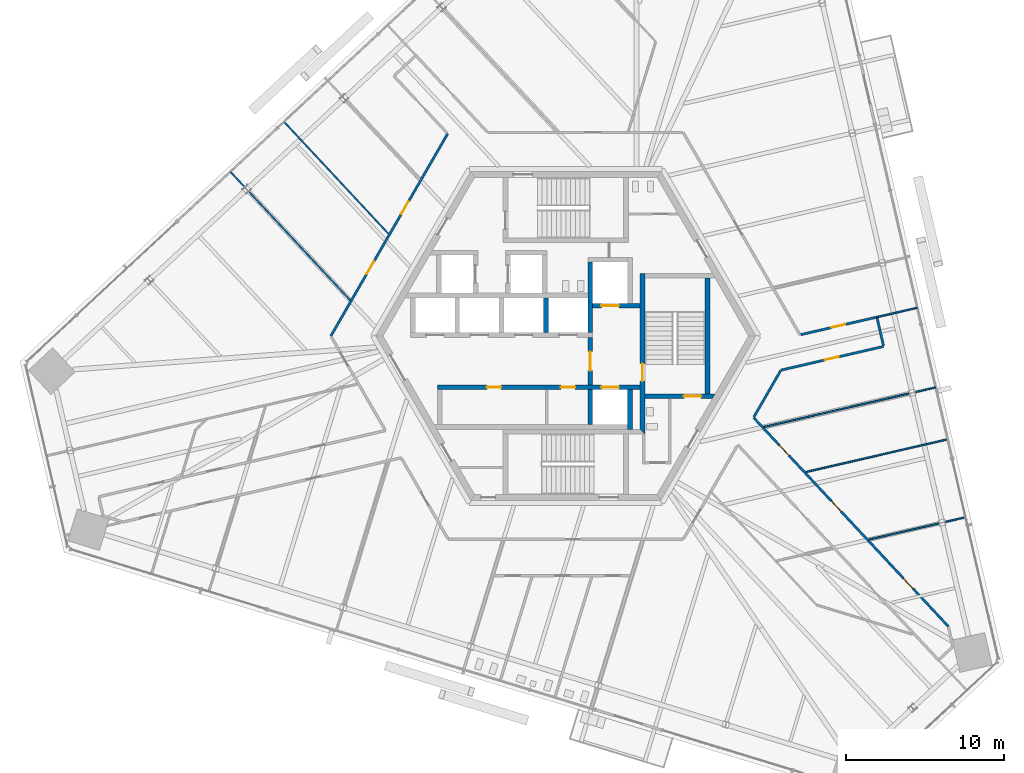
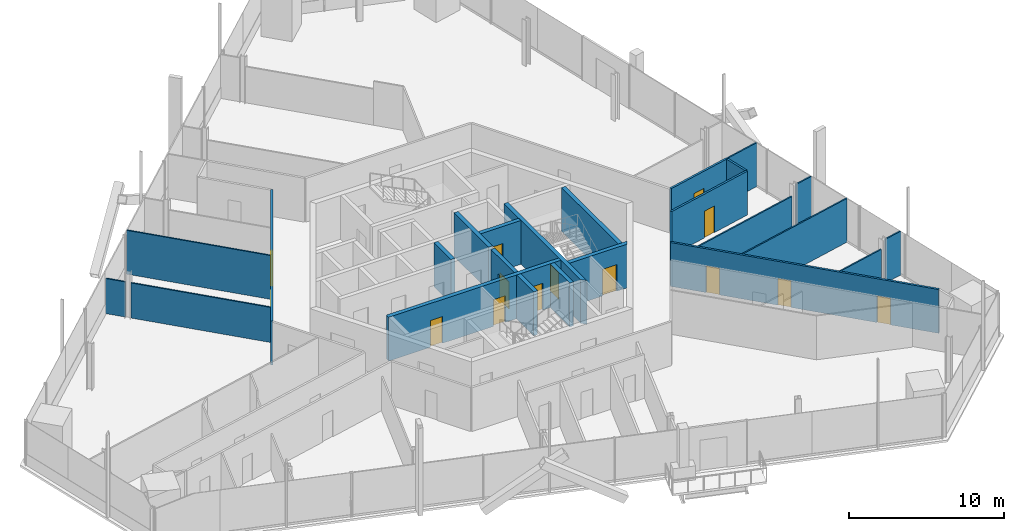
# One storey, part 15 of 24: 25 walls, 14 doors, 14 openings.
"""IFC4 building model written with IfcOpenShell, lengths in metres."""

from ifc_helpers import new_model, si_unit, direction, frame, frame_2d, origin, place, context, subcontext, project, spatial, polyline, rectangle, outline, extrude, source, transform, mapped, material, layer, layer_set, type_object, element, fill, save


model = new_model("IFC4")

# Units and contexts
model_context = context("Model", 3, precision=1e-05, world=origin(), true_north=direction((0.0, 1.0)))
body_context = subcontext(model_context, "Body", "Model", "MODEL_VIEW")
ifc_project = project(units=[si_unit("LENGTHUNIT", "METRE"), si_unit("AREAUNIT", "SQUARE_METRE"), si_unit("VOLUMEUNIT", "CUBIC_METRE"), si_unit("PLANEANGLEUNIT", "RADIAN"), si_unit("MASSUNIT", "GRAM", prefix="KILO")], contexts=[model_context])

# Site, building, storey
site_placement = place(None, origin())
site = spatial("IfcSite", under=ifc_project, at=site_placement, CompositionType="ELEMENT")
building_placement = place(site_placement, origin())
building = spatial("IfcBuilding", under=site, at=building_placement, Name="Triune Harvest Tower", CompositionType="ELEMENT")
storey_placement = place(building_placement, frame((0.0, 0.0, 112.699951171875)))
storey = spatial("IfcBuildingStorey", under=building, at=storey_placement, Name="L28", CompositionType="ELEMENT", Elevation=112.699951171875)

# Walls
ifc_material_1 = material(Name="Gypsum board on steel studs", Category="steel")
ifc_layer_1 = layer(ifc_material_1, 0.10009765625)
ifc_layer_set_1 = layer_set([ifc_layer_1], Name="Gypsum board on steel studs")
wall_type_1 = type_object("IfcWallType", Name="Partition 100 mm", PredefinedType="PARTITIONING", material=ifc_layer_set_1)
wall_1_placement = place(storey_placement, frame((-21.17431640625, 10.368896484375, 0.0), z_axis=(0.0, 0.0, 1.0), x_axis=(0.681954155979, -0.731394920096, 0.0)))
element("IfcWall", 1, at=wall_1_placement, inside=storey, type_object=wall_type_1, Name="Partition L28 007", PredefinedType="PARTITIONING", context=body_context, shape_type="SweptSolid", body=[
    extrude(rectangle(XDim=1.338134765625, YDim=0.10009765625, at=frame_2d((0.6689453125, 0.0))), origin(), (0.0, 0.0, 1.0), 2.7568359375),
])
wall_2_placement = place(storey_placement, frame((-17.789794921875, 13.525146484375, 0.0), z_axis=(0.0, 0.0, 1.0), x_axis=(0.682004663663, -0.731347823366, 0.0)))
element("IfcWall", 2, at=wall_2_placement, inside=storey, type_object=wall_type_1, Name="Partition L28 009", PredefinedType="PARTITIONING", context=body_context, shape_type="SweptSolid", body=[
    extrude(rectangle(XDim=9.682861328125, YDim=0.10009765625, at=frame_2d((4.84130859375, 0.0))), origin(), (0.0, 0.0, 1.0), 3.43994140625),
])
wall_3_placement = place(storey_placement, frame((19.142822265625, -12.852294921875, 0.0), z_axis=(0.0, 0.0, 1.0), x_axis=(0.974361435855, 0.224988427077, 0.0)))
element("IfcWall", 3, at=wall_3_placement, inside=storey, type_object=wall_type_1, Name="Partition L28 029", PredefinedType="PARTITIONING", context=body_context, shape_type="SweptSolid", body=[
    extrude(rectangle(XDim=4.56396484375, YDim=0.10009765625, at=frame_2d((2.281982421875, 0.0))), origin(), (0.0, 0.0, 1.0), 2.827880859375),
])
wall_4_placement = place(storey_placement, frame((15.1669921875, -8.58837890625, 0.0), z_axis=(0.0, 0.0, 1.0), x_axis=(0.974372810759, 0.224939159895, 0.0)))
element("IfcWall", 4, at=wall_4_placement, inside=storey, type_object=wall_type_1, Name="Partition L28 031", PredefinedType="PARTITIONING", context=body_context, shape_type="SweptSolid", body=[
    extrude(rectangle(XDim=9.177734375, YDim=0.10009765625, at=frame_2d((4.5888671875, 0.0))), origin(), (0.0, 0.0, 1.0), 3.43994140625),
])
ifc_material_2 = material(Name="Concrete 70 MPa", Category="concrete")
ifc_layer_2 = layer(ifc_material_2, 0.300048828125)
ifc_layer_set_2 = layer_set([ifc_layer_2], Name="Concrete 70 MPa")
wall_type_2 = type_object("IfcWallType", Name="Core wall 300", PredefinedType="SHEAR", material=ifc_layer_set_2)
shared_shape_1 = source(origin(), body_context, "Body", "SweptSolid", [
    extrude(rectangle(XDim=2.5, YDim=0.300048828125, at=frame_2d((1.25, 0.0))), origin(), (0.0, 0.0, 1.0), 3.43994140625),
])
wall_5_placement = place(storey_placement, frame((4.050048828125, -5.889892578125, 0.0), z_axis=(0.0, 0.0, 1.0), x_axis=(0.0, 1.0, 0.0)))
element("IfcWall", 5, at=wall_5_placement, inside=storey, type_object=wall_type_2, Name="Ff2 east wall", PredefinedType="SHEAR", context=body_context, shape_type="MappedRepresentation", body=[
    mapped(shared_shape_1, transform((0.0, 0.0, 0.0), scale=1.0)),
])
shared_shape_2 = source(origin(), body_context, "Body", "SweptSolid", [
    extrude(rectangle(XDim=4.449951171875, YDim=0.300048828125, at=frame_2d((2.22509765625, 0.0))), origin(), (0.0, 0.0, 1.0), 3.43994140625),
])
wall_6_placement = place(storey_placement, frame((1.550048828125, 0.2099609375, 0.0), z_axis=(0.0, 0.0, 1.0), x_axis=(0.0, 1.0, 0.0)))
element("IfcWall", 6, at=wall_6_placement, inside=storey, type_object=wall_type_2, Name="Ff1 west wall", PredefinedType="SHEAR", context=body_context, shape_type="MappedRepresentation", body=[
    mapped(shared_shape_2, transform((0.0, 0.0, 0.0), scale=1.0)),
])

# Wall, opening, door
shared_shape_3 = source(origin(), body_context, "Body", "SweptSolid", [
    extrude(rectangle(XDim=3.0, YDim=0.300048828125, at=frame_2d((1.5, 0.0))), origin(), (0.0, 0.0, 1.0), 3.43994140625),
])
wall_7_placement = place(storey_placement, frame((1.699951171875, 1.909912109375, 0.0), z_axis=(0.0, 0.0, 1.0), x_axis=(1.0, 0.0, 0.0)))
wall_7 = element("IfcWall", 7, at=wall_7_placement, inside=storey, type_object=wall_type_2, Name="Ff1 front wall", PredefinedType="SHEAR", context=body_context, shape_type="MappedRepresentation", body=[
    mapped(shared_shape_3, transform((0.0, 0.0, 0.0), scale=1.0)),
])
opening_1_placement = place(wall_7_placement, frame((0.550048828125, 0.0, 0.0)))
opening_1 = element("IfcOpeningElement", 8, at=opening_1_placement, cuts=wall_7, Name="Opening LD-FF1-28", PredefinedType="OPENING", context=body_context, shape_type="SweptSolid", body=[
    extrude(rectangle(XDim=1.10009765625, YDim=2.10009765625, at=frame_2d((0.550048828125, 1.050048828125))), frame((0.0, 0.16015625, 0.0), z_axis=(0.0, -1.0, 0.0), x_axis=(1.0, 0.0, 0.0)), (0.0, 0.0, 1.0), 0.320068359375),
])
ifc_material_3 = material(Name="Stainless steel AISI 304", Category="steel")
door_type_1 = type_object("IfcDoorType", Name="Landing door 1100 x 2100", OperationType="DOUBLE_DOOR_SLIDING", PredefinedType="DOOR", material=ifc_material_3)
door_1_placement = place(opening_1_placement, origin())
door_1 = element("IfcDoor", 9, at=door_1_placement, inside=storey, type_object=door_type_1, Name="Door LD-FF1-28", OperationType="DOUBLE_DOOR_SLIDING", OverallHeight=2.10009765625, OverallWidth=1.10009765625, PredefinedType="DOOR", context=body_context, shape_type="SweptSolid", body=[
    extrude(rectangle(XDim=1.10009765625, YDim=2.10009765625, at=frame_2d((0.550048828125, 1.050048828125))), frame((0.0, 0.02490234375, 0.0), z_axis=(0.0, -1.0, 0.0), x_axis=(1.0, 0.0, 0.0)), (0.0, 0.0, 1.0), 0.050048828125),
])
fill(opening_1, door_1)

wall_8_placement = place(storey_placement, frame((1.550048828125, -3.090087890625, 0.0), z_axis=(0.0, 0.0, 1.0), x_axis=(0.0, 1.0, 0.0)))
wall_8 = element("IfcWall", 10, at=wall_8_placement, inside=storey, type_object=wall_type_2, Name="Ff lobby west wall", PredefinedType="SHEAR", context=body_context, shape_type="MappedRepresentation", body=[
    mapped(shared_shape_3, transform((0.0, 0.0, 0.0), scale=1.0)),
])
opening_2_placement = place(wall_8_placement, frame((0.89990234375, 0.0, 0.0)))
opening_2 = element("IfcOpeningElement", 11, at=opening_2_placement, cuts=wall_8, Name="Opening CD-FL", PredefinedType="OPENING", context=body_context, shape_type="SweptSolid", body=[
    extrude(rectangle(XDim=1.199951171875, YDim=2.10009765625, at=frame_2d((0.60009765625, 1.050048828125))), frame((0.0, 0.16015625, 0.0), z_axis=(0.0, -1.0, 0.0), x_axis=(1.0, 0.0, 0.0)), (0.0, 0.0, 1.0), 0.320068359375),
])
ifc_material_4 = material(Name="Steel S235", Category="steel")
door_type_2 = type_object("IfcDoorType", Name="Firefighters' lobby door 1200 FD120", OperationType="SINGLE_SWING_LEFT", PredefinedType="DOOR", material=ifc_material_4)
door_2_placement = place(opening_2_placement, frame((1.199951171875, 0.0, 0.0), z_axis=(0.0, 0.0, 1.0), x_axis=(-1.0, 0.0, 0.0)))
door_2 = element("IfcDoor", 12, at=door_2_placement, inside=storey, type_object=door_type_2, Name="Door CD-FL", OperationType="SINGLE_SWING_RIGHT", OverallHeight=2.10009765625, OverallWidth=1.199951171875, PredefinedType="DOOR", context=body_context, shape_type="SweptSolid", body=[
    extrude(rectangle(XDim=1.199951171875, YDim=2.10009765625, at=frame_2d((0.60009765625, 1.050048828125))), frame((0.0, 0.02490234375, 0.0), z_axis=(0.0, -1.0, 0.0), x_axis=(1.0, 0.0, 0.0)), (0.0, 0.0, 1.0), 0.050048828125),
])
fill(opening_2, door_2)

# Wall, openings, doors
shared_shape_4 = source(origin(), body_context, "Body", "SweptSolid", [
    extrude(rectangle(XDim=12.800048828125, YDim=0.300048828125, at=frame_2d((6.39990234375, 0.0))), origin(), (0.0, 0.0, 1.0), 3.43994140625),
])
wall_9_placement = place(storey_placement, frame((-8.10009765625, -3.239990234375, 0.0), z_axis=(0.0, 0.0, 1.0), x_axis=(1.0, 0.0, 0.0)))
wall_9 = element("IfcWall", 13, at=wall_9_placement, inside=storey, type_object=wall_type_2, Name="South front wall", PredefinedType="SHEAR", context=body_context, shape_type="MappedRepresentation", body=[
    mapped(shared_shape_4, transform((0.0, 0.0, 0.0), scale=1.0)),
])
opening_3_placement = place(wall_9_placement, frame((3.112548828125, 0.0, 0.0)))
opening_3 = element("IfcOpeningElement", 14, at=opening_3_placement, cuts=wall_9, Name="Opening CD-RS1", PredefinedType="OPENING", context=body_context, shape_type="SweptSolid", body=[
    extrude(rectangle(XDim=0.89990234375, YDim=2.10009765625, at=frame_2d((0.449951171875, 1.050048828125))), frame((0.0, 0.16015625, 0.0), z_axis=(0.0, -1.0, 0.0), x_axis=(1.0, 0.0, 0.0)), (0.0, 0.0, 1.0), 0.320068359375),
])
opening_4_placement = place(wall_9_placement, frame((7.78759765625, 0.0, 0.0)))
opening_4 = element("IfcOpeningElement", 15, at=opening_4_placement, cuts=wall_9, Name="Opening CD-RS2", PredefinedType="OPENING", context=body_context, shape_type="SweptSolid", body=[
    extrude(rectangle(XDim=0.89990234375, YDim=2.10009765625, at=frame_2d((0.449951171875, 1.050048828125))), frame((0.0, 0.16015625, 0.0), z_axis=(0.0, -1.0, 0.0), x_axis=(1.0, 0.0, 0.0)), (0.0, 0.0, 1.0), 0.320068359375),
])
opening_5_placement = place(wall_9_placement, frame((10.35009765625, 0.0, 0.0)))
opening_5 = element("IfcOpeningElement", 16, at=opening_5_placement, cuts=wall_9, Name="Opening LD-FF2-28", PredefinedType="OPENING", context=body_context, shape_type="SweptSolid", body=[
    extrude(rectangle(XDim=1.10009765625, YDim=2.10009765625, at=frame_2d((0.550048828125, 1.050048828125))), frame((0.0, 0.16015625, 0.0), z_axis=(0.0, -1.0, 0.0), x_axis=(1.0, 0.0, 0.0)), (0.0, 0.0, 1.0), 0.320068359375),
])
door_3_placement = place(opening_5_placement, origin())
door_3 = element("IfcDoor", 17, at=door_3_placement, inside=storey, type_object=door_type_1, Name="Door LD-FF2-28", OperationType="DOUBLE_DOOR_SLIDING", OverallHeight=2.10009765625, OverallWidth=1.10009765625, PredefinedType="DOOR", context=body_context, shape_type="SweptSolid", body=[
    extrude(rectangle(XDim=1.10009765625, YDim=2.10009765625, at=frame_2d((0.550048828125, 1.050048828125))), frame((0.0, 0.02490234375, 0.0), z_axis=(0.0, -1.0, 0.0), x_axis=(1.0, 0.0, 0.0)), (0.0, 0.0, 1.0), 0.050048828125),
])
fill(opening_5, door_3)
ifc_material_5 = material(Name="Steel S235", Category="steel")
door_type_3 = type_object("IfcDoorType", Name="Riser door 900 FD120", OperationType="SINGLE_SWING_LEFT", PredefinedType="DOOR", material=ifc_material_5)
door_4_placement = place(opening_3_placement, origin())
door_4 = element("IfcDoor", 18, at=door_4_placement, inside=storey, type_object=door_type_3, Name="Door CD-RS1", OperationType="SINGLE_SWING_LEFT", OverallHeight=2.10009765625, OverallWidth=0.89990234375, PredefinedType="DOOR", context=body_context, shape_type="SweptSolid", body=[
    extrude(rectangle(XDim=0.89990234375, YDim=2.10009765625, at=frame_2d((0.449951171875, 1.050048828125))), frame((0.0, 0.02490234375, 0.0), z_axis=(0.0, -1.0, 0.0), x_axis=(1.0, 0.0, 0.0)), (0.0, 0.0, 1.0), 0.050048828125),
])
fill(opening_3, door_4)
door_5_placement = place(opening_4_placement, origin())
door_5 = element("IfcDoor", 19, at=door_5_placement, inside=storey, type_object=door_type_3, Name="Door CD-RS2", OperationType="SINGLE_SWING_LEFT", OverallHeight=2.10009765625, OverallWidth=0.89990234375, PredefinedType="DOOR", context=body_context, shape_type="SweptSolid", body=[
    extrude(rectangle(XDim=0.89990234375, YDim=2.10009765625, at=frame_2d((0.449951171875, 1.050048828125))), frame((0.0, 0.02490234375, 0.0), z_axis=(0.0, -1.0, 0.0), x_axis=(1.0, 0.0, 0.0)), (0.0, 0.0, 1.0), 0.050048828125),
])
fill(opening_4, door_5)

# Walls
shared_shape_5 = source(origin(), body_context, "Body", "SweptSolid", [
    extrude(rectangle(XDim=2.2001953125, YDim=0.300048828125, at=frame_2d((1.10009765625, 0.0))), origin(), (0.0, 0.0, 1.0), 3.43994140625),
])
wall_10_placement = place(storey_placement, frame((1.550048828125, -5.590087890625, 0.0), z_axis=(0.0, 0.0, 1.0), x_axis=(0.0, 1.0, 0.0)))
element("IfcWall", 20, at=wall_10_placement, inside=storey, type_object=wall_type_2, Name="Ff2 west wall", PredefinedType="SHEAR", context=body_context, shape_type="MappedRepresentation", body=[
    mapped(shared_shape_5, transform((0.0, 0.0, 0.0), scale=1.0)),
])
shared_shape_6 = source(origin(), body_context, "Body", "SweptSolid", [
    extrude(rectangle(XDim=2.199951171875, YDim=0.300048828125, at=frame_2d((1.10009765625, 0.0))), origin(), (0.0, 0.0, 1.0), 3.43994140625),
])
wall_11_placement = place(storey_placement, frame((-1.25, 0.2099609375, 0.0), z_axis=(0.0, 0.0, 1.0), x_axis=(0.0, 1.0, 0.0)))
element("IfcWall", 21, at=wall_11_placement, inside=storey, type_object=wall_type_2, Name="North cross 3 wall", PredefinedType="SHEAR", context=body_context, shape_type="MappedRepresentation", body=[
    mapped(shared_shape_6, transform((0.0, 0.0, 0.0), scale=1.0)),
])

# Wall, opening, door
shared_shape_7 = source(origin(), body_context, "Body", "SweptSolid", [
    extrude(outline(polyline([(-0.14990234375, -0.14990234375), (9.989990234375, -0.14990234375), (9.989990234375, 0.14990234375), (0.14990234375, 0.14990234375), (-0.14990234375, -0.14990234375)])), origin(), (0.0, 0.0, 1.0), 3.43994140625),
])
wall_12_placement = place(storey_placement, frame((4.85009765625, -6.0400390625, 0.0), z_axis=(0.0, 0.0, 1.0), x_axis=(0.0, 1.0, 0.0)))
wall_12 = element("IfcWall", 22, at=wall_12_placement, inside=storey, type_object=wall_type_2, Name="Stair e west wall", PredefinedType="SHEAR", context=body_context, shape_type="MappedRepresentation", body=[
    mapped(shared_shape_7, transform((0.0, 0.0, 0.0), scale=1.0)),
])
opening_6_placement = place(wall_12_placement, frame((3.18994140625, 0.0, 0.0)))
opening_6 = element("IfcOpeningElement", 23, at=opening_6_placement, cuts=wall_12, Name="Opening CD-S3L", PredefinedType="OPENING", context=body_context, shape_type="SweptSolid", body=[
    extrude(rectangle(XDim=1.10009765625, YDim=2.10009765625, at=frame_2d((0.550048828125, 1.050048828125))), frame((0.0, 0.16015625, 0.0), z_axis=(0.0, -1.0, 0.0), x_axis=(1.0, 0.0, 0.0)), (0.0, 0.0, 1.0), 0.320068359375),
])
ifc_material_6 = material(Name="Steel S235", Category="steel")
door_type_4 = type_object("IfcDoorType", Name="Stair door 1100 FD120", OperationType="SINGLE_SWING_LEFT", PredefinedType="DOOR", material=ifc_material_6)
door_6_placement = place(opening_6_placement, frame((1.10009765625, 0.0, 0.0), z_axis=(0.0, 0.0, 1.0), x_axis=(-1.0, 0.0, 0.0)))
door_6 = element("IfcDoor", 24, at=door_6_placement, inside=storey, type_object=door_type_4, Name="Door CD-S3L", OperationType="SINGLE_SWING_RIGHT", OverallHeight=2.10009765625, OverallWidth=1.10009765625, PredefinedType="DOOR", context=body_context, shape_type="SweptSolid", body=[
    extrude(rectangle(XDim=1.10009765625, YDim=2.10009765625, at=frame_2d((0.550048828125, 1.050048828125))), frame((0.0, 0.02490234375, 0.0), z_axis=(0.0, -1.0, 0.0), x_axis=(1.0, 0.0, 0.0)), (0.0, 0.0, 1.0), 0.050048828125),
])
fill(opening_6, door_6)

shared_shape_8 = source(origin(), body_context, "Body", "SweptSolid", [
    extrude(outline(polyline([(0.0, -0.14990234375), (0.0, 0.14990234375), (4.43310546875, 0.14990234375), (4.260009765625, -0.14990234375), (0.0, -0.14990234375)])), origin(), (0.0, 0.0, 1.0), 3.43994140625),
])
wall_13_placement = place(storey_placement, frame((5.0, -3.800048828125, 0.0), z_axis=(0.0, 0.0, 1.0), x_axis=(1.0, 0.0, 0.0)))
wall_13 = element("IfcWall", 25, at=wall_13_placement, inside=storey, type_object=wall_type_2, Name="Stair e south wall", PredefinedType="SHEAR", context=body_context, shape_type="MappedRepresentation", body=[
    mapped(shared_shape_8, transform((0.0, 0.0, 0.0), scale=1.0)),
])
opening_7_placement = place(wall_13_placement, frame((2.449951171875, 0.0, 0.0)))
opening_7 = element("IfcOpeningElement", 26, at=opening_7_placement, cuts=wall_13, Name="Opening CD-S3D", PredefinedType="OPENING", context=body_context, shape_type="SweptSolid", body=[
    extrude(rectangle(XDim=1.10009765625, YDim=2.10009765625, at=frame_2d((0.550048828125, 1.050048828125))), frame((0.0, 0.16015625, 0.0), z_axis=(0.0, -1.0, 0.0), x_axis=(1.0, 0.0, 0.0)), (0.0, 0.0, 1.0), 0.320068359375),
])
door_7_placement = place(opening_7_placement, frame((1.10009765625, 0.0, 0.0), z_axis=(0.0, 0.0, 1.0), x_axis=(-1.0, 0.0, 0.0)))
door_7 = element("IfcDoor", 27, at=door_7_placement, inside=storey, type_object=door_type_4, Name="Door CD-S3D", OperationType="SINGLE_SWING_RIGHT", OverallHeight=2.10009765625, OverallWidth=1.10009765625, PredefinedType="DOOR", context=body_context, shape_type="SweptSolid", body=[
    extrude(rectangle(XDim=1.10009765625, YDim=2.10009765625, at=frame_2d((0.550048828125, 1.050048828125))), frame((0.0, 0.02490234375, 0.0), z_axis=(0.0, -1.0, 0.0), x_axis=(1.0, 0.0, 0.0)), (0.0, 0.0, 1.0), 0.050048828125),
])
fill(opening_7, door_7)

# Walls
shared_shape_9 = source(origin(), body_context, "Body", "SweptSolid", [
    extrude(rectangle(XDim=7.2998046875, YDim=0.300048828125, at=frame_2d((3.64990234375, 0.0))), origin(), (0.0, 0.0, 1.0), 3.43994140625),
])
wall_14_placement = place(storey_placement, frame((8.949951171875, -3.64990234375, 0.0), z_axis=(0.0, 0.0, 1.0), x_axis=(0.0, 1.0, 0.0)))
element("IfcWall", 28, at=wall_14_placement, inside=storey, type_object=wall_type_2, Name="Stair e east wall", PredefinedType="SHEAR", context=body_context, shape_type="MappedRepresentation", body=[
    mapped(shared_shape_9, transform((0.0, 0.0, 0.0), scale=1.0)),
])
shared_shape_10 = source(origin(), body_context, "Body", "SweptSolid", [
    extrude(rectangle(XDim=1.338134765625, YDim=0.10009765625, at=frame_2d((0.6689453125, 0.0))), origin(), (0.0, 0.0, 1.0), 3.43994140625),
])
for number, where, z_axis, x_axis, name in (
    (29, (23.941650390625, -11.744384765625, 0.0), (0.0, 0.0, 1.0), (0.974363511026, 0.224979439906, 0.0), "Partition L28 030"),
    (30, (22.048828125, -3.54541015625, 0.0), (0.0, 0.0, 1.0), (0.974363511026, 0.224979439906, 0.0), "Partition L28 033"),
):
    element("IfcWall", number, at=place(storey_placement, frame(where, z_axis=z_axis, x_axis=x_axis)), inside=storey, type_object=wall_type_1, Name=name, PredefinedType="PARTITIONING", context=body_context, shape_type="MappedRepresentation", body=[
        mapped(shared_shape_10, transform((0.0, 0.0, 0.0), scale=1.0)),
    ])
ifc_material_7 = material(Name="Gypsum board on steel studs", Category="steel")
ifc_layer_3 = layer(ifc_material_7, 0.14990234375)
ifc_layer_set_3 = layer_set([ifc_layer_3], Name="Gypsum board on steel studs")
wall_type_3 = type_object("IfcWallType", Name="Fire Partition 150 mm", PredefinedType="PARTITIONING", material=ifc_layer_set_3)
shared_shape_11 = source(origin(), body_context, "Body", "SweptSolid", [
    extrude(rectangle(XDim=1.7900390625, YDim=0.14990234375, at=frame_2d((0.89501953125, 0.0))), origin(), (0.0, 0.0, 1.0), 3.43994140625),
])
wall_15_placement = place(storey_placement, frame((19.652587890625, 1.142578125, 0.0), z_axis=(0.0, 0.0, 1.0), x_axis=(0.22503879836, -0.974349803322, 0.0)))
element("IfcWall", 31, at=wall_15_placement, inside=storey, type_object=wall_type_3, Name="Partition L28 002", PredefinedType="PARTITIONING", context=body_context, shape_type="MappedRepresentation", body=[
    mapped(shared_shape_11, transform((0.0, 0.0, 0.0), scale=1.0)),
])

# Wall, openings, doors
shared_shape_12 = source(origin(), body_context, "Body", "SweptSolid", [
    extrude(rectangle(XDim=18.026611328125, YDim=0.14990234375, at=frame_2d((9.01318359375, 0.0))), origin(), (0.0, 0.0, 1.0), 3.43994140625),
])
wall_16_placement = place(storey_placement, frame((11.85498046875, -5.15087890625, 0.0), z_axis=(0.0, 0.0, 1.0), x_axis=(0.681992947505, -0.731358748873, 0.0)))
wall_16 = element("IfcWall", 32, at=wall_16_placement, inside=storey, type_object=wall_type_3, Name="Partition L28 018", PredefinedType="PARTITIONING", context=body_context, shape_type="MappedRepresentation", body=[
    mapped(shared_shape_12, transform((0.0, 0.0, 0.0), scale=1.0)),
])
opening_8_placement = place(wall_16_placement, frame((13.87841796875, 0.0, 0.0)))
opening_8 = element("IfcOpeningElement", 33, at=opening_8_placement, cuts=wall_16, Name="Opening L28-002", PredefinedType="OPENING", context=body_context, shape_type="SweptSolid", body=[
    extrude(rectangle(XDim=0.89990234375, YDim=2.10009765625, at=frame_2d((0.449951171875, 1.050048828125))), frame((0.0, 0.0849609375, 0.0), z_axis=(0.0, -1.0, 0.0), x_axis=(1.0, 0.0, 0.0)), (0.0, 0.0, 1.0), 0.169921875),
])
opening_9_placement = place(wall_16_placement, frame((2.377685546875, 0.0, 0.0)))
opening_9 = element("IfcOpeningElement", 34, at=opening_9_placement, cuts=wall_16, Name="Opening L28-004", PredefinedType="OPENING", context=body_context, shape_type="SweptSolid", body=[
    extrude(rectangle(XDim=0.89990234375, YDim=2.10009765625, at=frame_2d((0.449951171875, 1.050048828125))), frame((0.0, 0.0849609375, 0.0), z_axis=(0.0, -1.0, 0.0), x_axis=(1.0, 0.0, 0.0)), (0.0, 0.0, 1.0), 0.169921875),
])
opening_10_placement = place(wall_16_placement, frame((7.20751953125, 0.0, 0.0)))
opening_10 = element("IfcOpeningElement", 35, at=opening_10_placement, cuts=wall_16, Name="Opening L28-005", PredefinedType="OPENING", context=body_context, shape_type="SweptSolid", body=[
    extrude(rectangle(XDim=0.89990234375, YDim=2.10009765625, at=frame_2d((0.449951171875, 1.050048828125))), frame((0.0, 0.0849609375, 0.0), z_axis=(0.0, -1.0, 0.0), x_axis=(1.0, 0.0, 0.0)), (0.0, 0.0, 1.0), 0.169921875),
])
ifc_material_8 = material(Name="Timber and steel door set", Category="steel")
door_type_5 = type_object("IfcDoorType", Name="Single leaf door FD30 left hand 900 x 2100", OperationType="SINGLE_SWING_LEFT", PredefinedType="DOOR", material=ifc_material_8)
door_8_placement = place(opening_9_placement, origin())
door_8 = element("IfcDoor", 36, at=door_8_placement, inside=storey, type_object=door_type_5, Name="Door L28-004 Project Room 28.04", OperationType="SINGLE_SWING_LEFT", OverallHeight=2.10009765625, OverallWidth=0.89990234375, PredefinedType="DOOR", context=body_context, shape_type="SweptSolid", body=[
    extrude(rectangle(XDim=0.89990234375, YDim=2.10009765625, at=frame_2d((0.449951171875, 1.050048828125))), frame((0.0, 0.02490234375, 0.0), z_axis=(0.0, -1.0, 0.0), x_axis=(1.0, 0.0, 0.0)), (0.0, 0.0, 1.0), 0.050048828125),
])
fill(opening_9, door_8)
door_9_placement = place(opening_10_placement, origin())
door_9 = element("IfcDoor", 37, at=door_9_placement, inside=storey, type_object=door_type_5, Name="Door L28-005 Pantry 28.05", OperationType="SINGLE_SWING_LEFT", OverallHeight=2.10009765625, OverallWidth=0.89990234375, PredefinedType="DOOR", context=body_context, shape_type="SweptSolid", body=[
    extrude(rectangle(XDim=0.89990234375, YDim=2.10009765625, at=frame_2d((0.449951171875, 1.050048828125))), frame((0.0, 0.02490234375, 0.0), z_axis=(0.0, -1.0, 0.0), x_axis=(1.0, 0.0, 0.0)), (0.0, 0.0, 1.0), 0.050048828125),
])
fill(opening_10, door_9)
ifc_material_9 = material(Name="Timber and steel door set", Category="steel")
door_type_6 = type_object("IfcDoorType", Name="Single leaf door FD30 right hand 900 x 2100", OperationType="SINGLE_SWING_RIGHT", PredefinedType="DOOR", material=ifc_material_9)
door_10_placement = place(opening_8_placement, origin())
door_10 = element("IfcDoor", 38, at=door_10_placement, inside=storey, type_object=door_type_6, Name="Door L28-002 Open Office 28.02", OperationType="SINGLE_SWING_RIGHT", OverallHeight=2.10009765625, OverallWidth=0.89990234375, PredefinedType="DOOR", context=body_context, shape_type="SweptSolid", body=[
    extrude(rectangle(XDim=0.89990234375, YDim=2.10009765625, at=frame_2d((0.449951171875, 1.050048828125))), frame((0.0, 0.02490234375, 0.0), z_axis=(0.0, -1.0, 0.0), x_axis=(1.0, 0.0, 0.0)), (0.0, 0.0, 1.0), 0.050048828125),
])
fill(opening_8, door_10)

# Wall
shared_shape_13 = source(origin(), body_context, "Body", "SweptSolid", [
    extrude(rectangle(XDim=3.36767578125, YDim=0.14990234375, at=frame_2d((1.683837890625, 0.0))), origin(), (0.0, 0.0, 1.0), 3.43994140625),
])
wall_17_placement = place(storey_placement, frame((11.8798828125, -5.10791015625, 0.0), z_axis=(0.0, 0.0, 1.0), x_axis=(0.499998569178, 0.866026229868, 0.0)))
element("IfcWall", 39, at=wall_17_placement, inside=storey, type_object=wall_type_3, Name="Partition L28 049", PredefinedType="PARTITIONING", context=body_context, shape_type="MappedRepresentation", body=[
    mapped(shared_shape_13, transform((0.0, 0.0, 0.0), scale=1.0)),
])

# Wall, openings, doors
shared_shape_14 = source(origin(), body_context, "Body", "SweptSolid", [
    extrude(rectangle(XDim=14.746826171875, YDim=0.14990234375, at=frame_2d((7.37353515625, 0.0))), origin(), (0.0, 0.0, 1.0), 3.43994140625),
])
wall_18_placement = place(storey_placement, frame((-14.8291015625, 0.0, 0.0), z_axis=(0.0, 0.0, 1.0), x_axis=(0.500010025398, 0.866019615541, 0.0)))
wall_18 = element("IfcWall", 40, at=wall_18_placement, inside=storey, type_object=wall_type_3, Name="Partition L28 050", PredefinedType="PARTITIONING", context=body_context, shape_type="MappedRepresentation", body=[
    mapped(shared_shape_14, transform((0.0, 0.0, 0.0), scale=1.0)),
])
opening_11_placement = place(wall_18_placement, frame((4.53125, 0.0, 0.0)))
opening_11 = element("IfcOpeningElement", 41, at=opening_11_placement, cuts=wall_18, Name="Opening L28-012", PredefinedType="OPENING", context=body_context, shape_type="SweptSolid", body=[
    extrude(rectangle(XDim=0.89990234375, YDim=2.10009765625, at=frame_2d((0.449951171875, 1.050048828125))), frame((0.0, 0.0849609375, 0.0), z_axis=(0.0, -1.0, 0.0), x_axis=(1.0, 0.0, 0.0)), (0.0, 0.0, 1.0), 0.169921875),
])
opening_12_placement = place(wall_18_placement, frame((8.890869140625, 0.0, 0.0)))
opening_12 = element("IfcOpeningElement", 42, at=opening_12_placement, cuts=wall_18, Name="Opening L28-013", PredefinedType="OPENING", context=body_context, shape_type="SweptSolid", body=[
    extrude(rectangle(XDim=0.89990234375, YDim=2.10009765625, at=frame_2d((0.449951171875, 1.050048828125))), frame((0.0, 0.0849609375, 0.0), z_axis=(0.0, -1.0, 0.0), x_axis=(1.0, 0.0, 0.0)), (0.0, 0.0, 1.0), 0.169921875),
])
door_11_placement = place(opening_11_placement, origin())
door_11 = element("IfcDoor", 43, at=door_11_placement, inside=storey, type_object=door_type_5, Name="Door L28-012 Office 28.12", OperationType="SINGLE_SWING_LEFT", OverallHeight=2.10009765625, OverallWidth=0.89990234375, PredefinedType="DOOR", context=body_context, shape_type="SweptSolid", body=[
    extrude(rectangle(XDim=0.89990234375, YDim=2.10009765625, at=frame_2d((0.449951171875, 1.050048828125))), frame((0.0, 0.02490234375, 0.0), z_axis=(0.0, -1.0, 0.0), x_axis=(1.0, 0.0, 0.0)), (0.0, 0.0, 1.0), 0.050048828125),
])
fill(opening_11, door_11)
door_12_placement = place(opening_12_placement, origin())
door_12 = element("IfcDoor", 44, at=door_12_placement, inside=storey, type_object=door_type_6, Name="Door L28-013 Office 28.13", OperationType="SINGLE_SWING_RIGHT", OverallHeight=2.10009765625, OverallWidth=0.89990234375, PredefinedType="DOOR", context=body_context, shape_type="SweptSolid", body=[
    extrude(rectangle(XDim=0.89990234375, YDim=2.10009765625, at=frame_2d((0.449951171875, 1.050048828125))), frame((0.0, 0.02490234375, 0.0), z_axis=(0.0, -1.0, 0.0), x_axis=(1.0, 0.0, 0.0)), (0.0, 0.0, 1.0), 0.050048828125),
])
fill(opening_12, door_12)

# Walls
shared_shape_15 = source(origin(), body_context, "Body", "SweptSolid", [
    extrude(rectangle(XDim=9.398681640625, YDim=0.10009765625, at=frame_2d((4.69921875, 0.0))), origin(), (0.0, 0.0, 1.0), 2.7568359375),
])
wall_19_placement = place(storey_placement, frame((-20.015625, 9.126220703125, 0.0), z_axis=(0.0, 0.0, 1.0), x_axis=(0.681998884557, -0.73135321252, 0.0)))
element("IfcWall", 45, at=wall_19_placement, inside=storey, type_object=wall_type_1, Name="Partition L28 008", PredefinedType="PARTITIONING", context=body_context, shape_type="MappedRepresentation", body=[
    mapped(shared_shape_15, transform((0.0, 0.0, 0.0), scale=1.0)),
])
shared_shape_16 = source(origin(), body_context, "Body", "SweptSolid", [
    extrude(rectangle(XDim=9.421875, YDim=0.10009765625, at=frame_2d((4.7109375, 0.0))), origin(), (0.0, 0.0, 1.0), 2.68310546875),
])
wall_20_placement = place(storey_placement, frame((12.5166015625, -5.74609375, 0.0), z_axis=(0.0, 0.0, 1.0), x_axis=(0.974371976436, 0.224942773913, 0.0)))
element("IfcWall", 46, at=wall_20_placement, inside=storey, type_object=wall_type_1, Name="Partition L28 032", PredefinedType="PARTITIONING", context=body_context, shape_type="MappedRepresentation", body=[
    mapped(shared_shape_16, transform((0.0, 0.0, 0.0), scale=1.0)),
])

# Wall, opening, door
shared_shape_17 = source(origin(), body_context, "Body", "SweptSolid", [
    extrude(rectangle(XDim=6.6552734375, YDim=0.14990234375, at=frame_2d((3.32763671875, 0.0))), origin(), (0.0, 0.0, 1.0), 3.43994140625),
])
wall_21_placement = place(storey_placement, frame((13.583740234375, -2.156982421875, 0.0), z_axis=(0.0, 0.0, 1.0), x_axis=(0.974370788637, 0.224947918976, 0.0)))
wall_21 = element("IfcWall", 47, at=wall_21_placement, inside=storey, type_object=wall_type_3, Name="Partition L28 037", PredefinedType="PARTITIONING", context=body_context, shape_type="MappedRepresentation", body=[
    mapped(shared_shape_17, transform((0.0, 0.0, 0.0), scale=1.0)),
])
opening_13_placement = place(wall_21_placement, frame((2.85009765625, 0.0, 0.0)))
opening_13 = element("IfcOpeningElement", 48, at=opening_13_placement, cuts=wall_21, Name="Opening L28-006", PredefinedType="OPENING", context=body_context, shape_type="SweptSolid", body=[
    extrude(rectangle(XDim=0.89990234375, YDim=2.10009765625, at=frame_2d((0.449951171875, 1.050048828125))), frame((0.0, 0.0849609375, 0.0), z_axis=(0.0, -1.0, 0.0), x_axis=(1.0, 0.0, 0.0)), (0.0, 0.0, 1.0), 0.169921875),
])
door_13_placement = place(opening_13_placement, origin())
door_13 = element("IfcDoor", 49, at=door_13_placement, inside=storey, type_object=door_type_6, Name="Door L28-006 Office 28.06", OperationType="SINGLE_SWING_RIGHT", OverallHeight=2.10009765625, OverallWidth=0.89990234375, PredefinedType="DOOR", context=body_context, shape_type="SweptSolid", body=[
    extrude(rectangle(XDim=0.89990234375, YDim=2.10009765625, at=frame_2d((0.449951171875, 1.050048828125))), frame((0.0, 0.02490234375, 0.0), z_axis=(0.0, -1.0, 0.0), x_axis=(1.0, 0.0, 0.0)), (0.0, 0.0, 1.0), 0.050048828125),
])
fill(opening_13, door_13)

shared_shape_18 = source(origin(), body_context, "Body", "SweptSolid", [
    extrude(rectangle(XDim=4.930908203125, YDim=0.14990234375, at=frame_2d((2.46533203125, 0.0))), origin(), (0.0, 0.0, 1.0), 3.43994140625),
])
wall_22_placement = place(storey_placement, frame((14.836669921875, 0.082275390625, 0.0), z_axis=(0.0, 0.0, 1.0), x_axis=(0.974372833572, 0.224939061076, 0.0)))
wall_22 = element("IfcWall", 50, at=wall_22_placement, inside=storey, type_object=wall_type_3, Name="Partition L28 039", PredefinedType="PARTITIONING", context=body_context, shape_type="MappedRepresentation", body=[
    mapped(shared_shape_18, transform((0.0, 0.0, 0.0), scale=1.0)),
])
opening_14_placement = place(wall_22_placement, frame((1.990478515625, 0.0, 0.0)))
opening_14 = element("IfcOpeningElement", 51, at=opening_14_placement, cuts=wall_22, Name="Opening L28-007", PredefinedType="OPENING", context=body_context, shape_type="SweptSolid", body=[
    extrude(rectangle(XDim=0.89990234375, YDim=2.10009765625, at=frame_2d((0.449951171875, 1.050048828125))), frame((0.0, 0.0849609375, 0.0), z_axis=(0.0, -1.0, 0.0), x_axis=(1.0, 0.0, 0.0)), (0.0, 0.0, 1.0), 0.169921875),
])
door_14_placement = place(opening_14_placement, origin())
door_14 = element("IfcDoor", 52, at=door_14_placement, inside=storey, type_object=door_type_6, Name="Door L28-007 Meeting Room 28.07", OperationType="SINGLE_SWING_RIGHT", OverallHeight=2.10009765625, OverallWidth=0.89990234375, PredefinedType="DOOR", context=body_context, shape_type="SweptSolid", body=[
    extrude(rectangle(XDim=0.89990234375, YDim=2.10009765625, at=frame_2d((0.449951171875, 1.050048828125))), frame((0.0, 0.02490234375, 0.0), z_axis=(0.0, -1.0, 0.0), x_axis=(1.0, 0.0, 0.0)), (0.0, 0.0, 1.0), 0.050048828125),
])
fill(opening_14, door_14)

# Wall
shared_shape_19 = source(origin(), body_context, "Body", "SweptSolid", [
    extrude(rectangle(XDim=2.618408203125, YDim=0.10009765625, at=frame_2d((1.30908203125, 0.0))), origin(), (0.0, 0.0, 1.0), 3.43994140625),
])
wall_23_placement = place(storey_placement, frame((19.64111328125, 1.19140625, 0.0), z_axis=(0.0, 0.0, 1.0), x_axis=(0.97436132925, 0.224988888754, 0.0)))
element("IfcWall", 53, at=wall_23_placement, inside=storey, type_object=wall_type_1, Name="Partition L28 040", PredefinedType="PARTITIONING", context=body_context, shape_type="MappedRepresentation", body=[
    mapped(shared_shape_19, transform((0.0, 0.0, 0.0), scale=1.0)),
])

save(model, "model.ifc")
